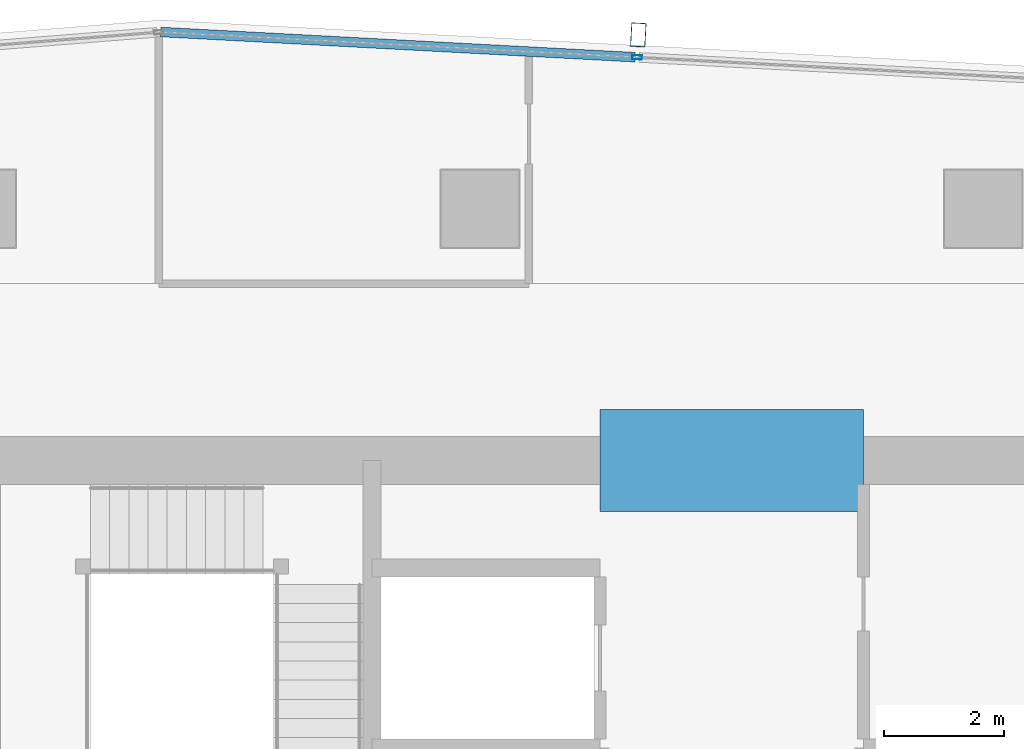
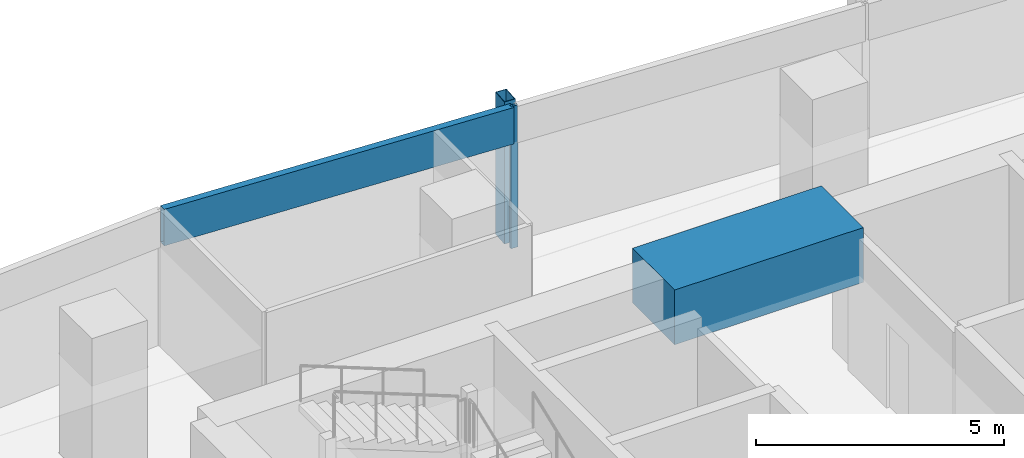
# One storey, part 17 of 30: 3 members, 1 beam, 1 element without a shape of its own.
"""IFC4 building model written with IfcOpenShell, lengths in metres."""

from ifc_helpers import new_model, si_unit, direction, frame, origin, origin_2d, place, context, subcontext, project, spatial, rectangle, hollow_rectangle, extrude, material, material_profile, profile_set, type_object, element, aggregate, save


model = new_model("IFC4")

# Units and contexts
model_context = context("Model", 3, precision=1e-05, world=origin(), true_north=direction((0.0, 1.0)))
body_context = subcontext(model_context, "Body", "Model", "MODEL_VIEW")
ifc_project = project(units=[si_unit("LENGTHUNIT", "METRE"), si_unit("AREAUNIT", "SQUARE_METRE"), si_unit("VOLUMEUNIT", "CUBIC_METRE"), si_unit("PLANEANGLEUNIT", "RADIAN"), si_unit("MASSUNIT", "GRAM", prefix="KILO")], contexts=[model_context])

# Site, building, storey
site_placement = place(None, origin())
site = spatial("IfcSite", under=ifc_project, at=site_placement, CompositionType="ELEMENT")
building_placement = place(site_placement, origin())
building = spatial("IfcBuilding", under=site, at=building_placement, Name="Rekha Terrace Tower", CompositionType="ELEMENT")
storey_placement = place(building_placement, frame((0.0, 0.0, 265.10009765625)))
storey = spatial("IfcBuildingStorey", under=building, at=storey_placement, Name="L67", CompositionType="ELEMENT", Elevation=265.10009765625)

# Curtain wall, members
ifc_material_1 = material(Name="Aluminium framing", Category="aluminium")
curtain_wall_type = type_object("IfcCurtainWallType", Name="CW3 north unitised glazing", PredefinedType="USERDEFINED", material=ifc_material_1)
curtain_wall_placement = place(storey_placement, origin())
curtain_wall = element("IfcCurtainWall", 1, at=curtain_wall_placement, inside=storey, type_object=curtain_wall_type, Name="CW3 unitised curtain wall", ObjectType="UNITISED CURTAIN WALL", PredefinedType="USERDEFINED")
ifc_material_2 = material(Name="Steel S355 with fluorocarbon finish", Category="steel")
ifc_material_profile_1 = material_profile(ifc_material_2, hollow_rectangle(XDim=0.25, YDim=0.39990234375, WallThickness=0.012451171875, at=origin_2d()), Name="RHS400x250x12.5")
ifc_profile_set_1 = profile_set([ifc_material_profile_1], Name="Steel S355 with fluorocarbon finish")
member_type_1 = type_object("IfcMemberType", Name="BL1 facade blade RHS 400 x 250", PredefinedType="USERDEFINED", material=ifc_profile_set_1)
member_1_placement = place(storey_placement, frame((36.24267578125, 53.301513671875, 0.0), z_axis=(0.0, 0.0, 1.0), x_axis=(-0.998590068481, 0.053083661621, 0.0)))
member_1 = element("IfcMember", 2, at=member_1_placement, type_object=member_type_1, Name="Facade blade", ObjectType="FACADE BLADE", PredefinedType="USERDEFINED", context=body_context, shape_type="SweptSolid", body=[
    extrude(hollow_rectangle(XDim=0.25, YDim=0.39990234375, WallThickness=0.012451171875, at=origin_2d()), origin(), (0.0, 0.0, 1.0), 3.5),
])
ifc_material_3 = material(Name="Aluminium mullion section", Category="aluminium")
ifc_material_profile_2 = material_profile(ifc_material_3, hollow_rectangle(XDim=0.070068359375, YDim=0.159912109375, WallThickness=0.00390625, at=origin_2d()), Name="AL RHS 70x160")
ifc_profile_set_2 = profile_set([ifc_material_profile_2], Name="Aluminium mullion section")
member_type_2 = type_object("IfcMemberType", Name="CW3 mullion RHS 70 x 160", PredefinedType="MULLION", material=ifc_profile_set_2)
member_2_placement = place(storey_placement, frame((36.22265625, 52.927001953125, 0.0), z_axis=(0.0, 0.0, 1.0), x_axis=(-0.053083275524, -0.998590089005, 0.0)))
member_2 = element("IfcMember", 3, at=member_2_placement, type_object=member_type_2, Name="CW3 mullion 4", PredefinedType="MULLION", context=body_context, shape_type="SweptSolid", body=[
    extrude(hollow_rectangle(XDim=0.070068359375, YDim=0.159912109375, WallThickness=0.00390625, at=origin_2d()), origin(), (0.0, 0.0, 1.0), 3.5),
])
ifc_material_4 = material(Name="Insulated aluminium spandrel box", Category="aluminium")
ifc_material_profile_3 = material_profile(ifc_material_4, hollow_rectangle(XDim=0.159912109375, YDim=0.89990234375, WallThickness=0.0029296875, at=origin_2d()), Name="AL SPANDREL BOX 160x900")
ifc_profile_set_3 = profile_set([ifc_material_profile_3], Name="Insulated aluminium spandrel box")
member_type_3 = type_object("IfcMemberType", Name="CW3 spandrel transom 160 x 900", PredefinedType="USERDEFINED", material=ifc_profile_set_3)
member_3_placement = place(storey_placement, frame((36.187744140625, 52.9287109375, 3.0498046875), z_axis=(-0.998589092231, 0.053102023288, 0.0), x_axis=(-0.053102023288, -0.998589092231, 0.0)))
member_3 = element("IfcMember", 4, at=member_3_placement, type_object=member_type_3, Name="CW3 spandrel transom 4", ObjectType="TRANSOM", PredefinedType="USERDEFINED", context=body_context, shape_type="SweptSolid", body=[
    extrude(hollow_rectangle(XDim=0.159912109375, YDim=0.89990234375, WallThickness=0.0029296875, at=origin_2d()), origin(), (0.0, 0.0, 1.0), 7.92626953125),
])
aggregate(curtain_wall, [member_2, member_3, member_1])

# Beam
ifc_material_5 = material(Name="Concrete M60", Category="concrete")
ifc_material_profile_4 = material_profile(ifc_material_5, rectangle(XDim=1.699951171875, YDim=1.35009765625, at=origin_2d()), Name="RC 1700x1350")
ifc_profile_set_4 = profile_set([ifc_material_profile_4], Name="Concrete M60")
beam_type = type_object("IfcBeamType", Name="LB5A 1700x1350 diagonally reinforced coupling beam", PredefinedType="LINTEL", material=ifc_profile_set_4)
beam_placement = place(storey_placement, frame((35.60009765625, 46.199951171875, 3.074951171875), z_axis=(1.0, 0.0, 0.0), x_axis=(0.0, 1.0, 0.0)))
element("IfcBeam", 5, at=beam_placement, inside=storey, type_object=beam_type, Name="Coupling beam LB5A N L67", PredefinedType="LINTEL", context=body_context, shape_type="SweptSolid", body=[
    extrude(rectangle(XDim=1.699951171875, YDim=1.35009765625, at=origin_2d()), origin(), (0.0, 0.0, 1.0), 4.39990234375),
])

save(model, "model.ifc")
